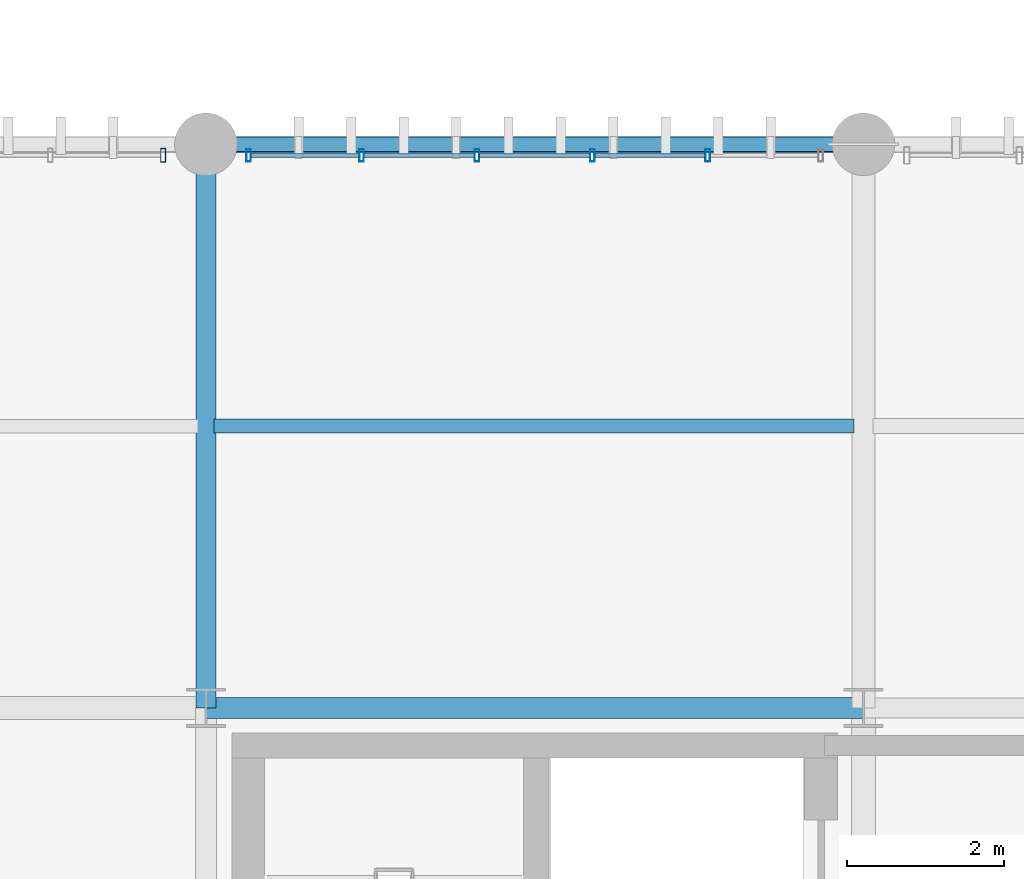
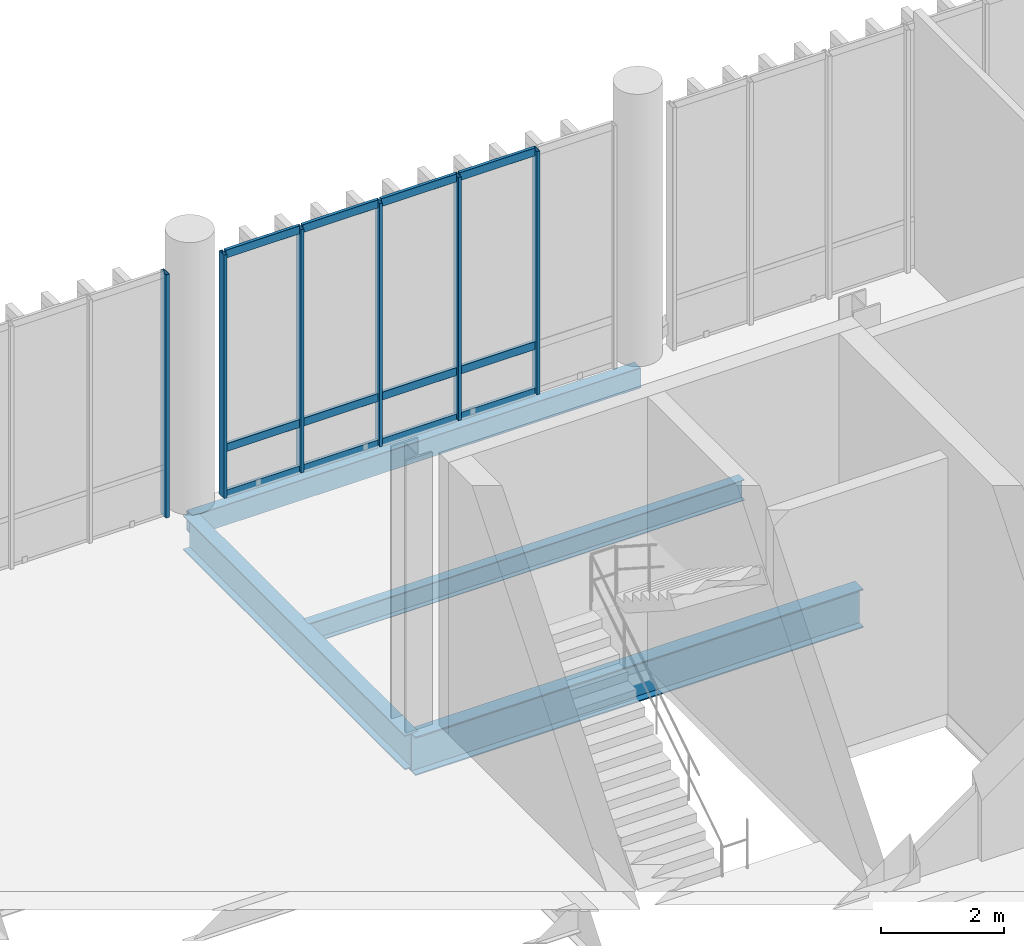
# One storey, part 44 of 128: 18 members, 4 beams, 2 elements without a shape of their own.
"""IFC4 building model written with IfcOpenShell, lengths in metres."""

import ifcopenshell
import ifcopenshell.guid

model = None  # the IFC model being written
_history = None  # IfcOwnerHistory: only IFC2X3 demands one
_inside = {}  # id of a spatial element -> (the spatial element, [elements in it])
_under = {}  # id of a project, library or spatial element -> (it, [spatial elements below it])
_declared = {}  # id of a project -> (the project, [libraries it declares])
_typed = {}  # id of a type object -> (the type object, [elements of that type])
_made_of = {}  # id of a material, layer set ... -> (it, [elements and type objects made of it])


def new_model(schema):
    """Start an empty IFC model of exactly this schema.

    Asked for "IFC4X3", IfcOpenShell would pick the latest addendum, in which some entities
    have other attributes; the version numbers below select the first issue.
    IFC2X3 requires an IfcOwnerHistory on every rooted entity: one is made here for all.
    """
    global model, _history
    if schema == "IFC4X3":
        model = ifcopenshell.file(schema_version=(4, 3, 0, 0))
    else:
        model = ifcopenshell.file(schema=schema)
    _inside.clear()
    _under.clear()
    _declared.clear()
    _typed.clear()
    _made_of.clear()
    _history = None
    if model.schema == "IFC2X3":
        org = make("IfcOrganization", Name="unknown")
        user = make(
            "IfcPersonAndOrganization",
            ThePerson=make("IfcPerson", FamilyName="unknown"),
            TheOrganization=org,
        )
        app = make(
            "IfcApplication",
            ApplicationDeveloper=org,
            Version="unknown",
            ApplicationFullName="unknown",
            ApplicationIdentifier="unknown",
        )
        _history = make(
            "IfcOwnerHistory",
            OwningUser=user,
            OwningApplication=app,
            ChangeAction="ADDED",
            CreationDate=0,
        )
    return model


def make(cls, **values):
    """One entity of the class cls with the attributes given. An attribute that is None is left unset."""
    return model.create_entity(
        cls, **{name: value for name, value in values.items() if value is not None}
    )


def rooted(cls, **values):
    """An entity with a GlobalId (a new one), such as an element, a storey or a relation."""
    return make(cls, GlobalId=ifcopenshell.guid.new(), OwnerHistory=_history, **values)


def si_unit(unit_type, name, prefix=None):
    """IfcSIUnit, for example si_unit("LENGTHUNIT", "METRE", prefix="MILLI")."""
    return make("IfcSIUnit", UnitType=unit_type, Prefix=prefix, Name=name)


def assignment(units):
    """IfcUnitAssignment: the units of a project."""
    return None if units is None else make("IfcUnitAssignment", Units=units)


def point(xyz):
    """IfcCartesianPoint."""
    return None if xyz is None else make("IfcCartesianPoint", Coordinates=xyz)


def direction(xyz):
    """IfcDirection."""
    return None if xyz is None else make("IfcDirection", DirectionRatios=xyz)


def frame(location, z_axis=None, x_axis=None):
    """IfcAxis2Placement3D, a coordinate frame: its origin and axes. An axis left out is left unset."""
    return make(
        "IfcAxis2Placement3D",
        Location=point(location),
        Axis=direction(z_axis),
        RefDirection=direction(x_axis),
    )


def frame_2d(location, x_axis=None):
    """IfcAxis2Placement2D, a coordinate frame in the plane: its origin and x axis."""
    return make(
        "IfcAxis2Placement2D", Location=point(location), RefDirection=direction(x_axis)
    )


def origin_with_axes():
    """The frame at (0, 0, 0) with the z axis (0, 0, 1) and the x axis (1, 0, 0) written out."""
    return frame((0.0, 0.0, 0.0), z_axis=(0.0, 0.0, 1.0), x_axis=(1.0, 0.0, 0.0))


def origin_2d_with_axis():
    """The frame at (0, 0) in the plane with the x axis (1, 0) written out."""
    return frame_2d((0.0, 0.0), x_axis=(1.0, 0.0))


def place(relative_to, where):
    """IfcLocalPlacement: puts the frame where relative to a parent placement (None: the world)."""
    return make(
        "IfcLocalPlacement", PlacementRelTo=relative_to, RelativePlacement=where
    )


def context(
    kind, dimensions, precision=None, world=None, true_north=None, identifier=None
):
    """IfcGeometricRepresentationContext, for example the 3D "Model" context."""
    return make(
        "IfcGeometricRepresentationContext",
        ContextIdentifier=identifier,
        ContextType=kind,
        CoordinateSpaceDimension=dimensions,
        Precision=precision,
        WorldCoordinateSystem=world,
        TrueNorth=true_north,
    )


def subcontext(parent, identifier, kind, view, scale=None):
    """IfcGeometricRepresentationSubContext, for example "Body" below "Model"."""
    return make(
        "IfcGeometricRepresentationSubContext",
        ContextIdentifier=identifier,
        ContextType=kind,
        ParentContext=parent,
        TargetScale=scale,
        TargetView=view,
    )


def project(units=None, contexts=None):
    """IfcProject with its units and contexts."""
    return rooted(
        "IfcProject",
        Name="project",
        RepresentationContexts=contexts,
        UnitsInContext=assignment(units),
    )


def spatial(cls, under=None, at=None, **own):
    """A site, building, storey or space (cls), placed at a placement, below another one or the project."""
    s = rooted(cls, ObjectPlacement=at, **own)
    if under is not None:
        _under.setdefault(under.id(), (under, []))[1].append(s)
    return s


def profile(cls, at=None, kind="AREA", **sizes):
    """A parametric profile (cls). Its sizes go by their IFC names, for example OverallWidth=200.0."""
    return make(cls, ProfileType=kind, Position=at, **sizes)


def hollow_rectangle(**sizes):
    """IfcRectangleHollowProfileDef."""
    return profile("IfcRectangleHollowProfileDef", **sizes)


def i_section(**sizes):
    """IfcIShapeProfileDef."""
    return profile("IfcIShapeProfileDef", **sizes)


def extrude(swept, where, along, depth):
    """IfcExtrudedAreaSolid: the profile swept, set in the frame where, extruded along a direction by depth."""
    return make(
        "IfcExtrudedAreaSolid",
        SweptArea=swept,
        Position=where,
        ExtrudedDirection=direction(along),
        Depth=depth,
    )


def shape(context_of_items, identifier, shape_type, items):
    """IfcShapeRepresentation: the items that make up one representation, for example the "Body"."""
    return make(
        "IfcShapeRepresentation",
        ContextOfItems=context_of_items,
        RepresentationIdentifier=identifier,
        RepresentationType=shape_type,
        Items=items,
    )


def material(Name=None, Category=None):
    """IfcMaterial."""
    return make("IfcMaterial", Name=Name, Category=Category)


def material_profile(
    of_material, cross_section, Name=None, Category=None, Priority=None
):
    """IfcMaterialProfile: a cross section and its material."""
    return make(
        "IfcMaterialProfile",
        Name=Name,
        Material=of_material,
        Profile=cross_section,
        Priority=Priority,
        Category=Category,
    )


def profile_set(profiles, Name=None, composite=None):
    """IfcMaterialProfileSet."""
    return make(
        "IfcMaterialProfileSet",
        Name=Name,
        MaterialProfiles=profiles,
        CompositeProfile=composite,
    )


def made_of(thing, what):
    """Note that an element or type object is made of a material, layer set ...; save() writes the relation."""
    if what is not None:
        _made_of.setdefault(what.id(), (what, []))[1].append(thing)
    return thing


def type_object(cls, material=None, **own):
    """A type object (cls), such as IfcWallType, which elements share."""
    return made_of(rooted(cls, **own), material)


def element(
    cls,
    number,
    at=None,
    inside=None,
    cuts=None,
    type_object=None,
    material=None,
    context=None,
    identifier="Body",
    shape_type=None,
    held_by="IfcProductDefinitionShape",
    body=None,
    shapes=None,
    **own,
):
    """One element of the class cls, such as IfcWall. Its Tag is "e" and its number.

    at: its placement. inside: the storey or other place that contains it. cuts: it is an
    opening in that element (IfcRelVoidsElement). A single representation is given by context,
    identifier, shape_type and body (its items); several are given by shapes. held_by: the class
    of the entity that holds the representations. save() writes the other relations.
    """
    e = rooted(cls, Tag="e%d" % number, ObjectPlacement=at, **own)
    if body is not None:
        shapes = [shape(context, identifier, shape_type, body)]
    if shapes is not None:
        e.Representation = make(held_by, Representations=shapes)
    if inside is not None:
        _inside.setdefault(inside.id(), (inside, []))[1].append(e)
    if cuts is not None:
        rooted(
            "IfcRelVoidsElement", RelatingBuildingElement=cuts, RelatedOpeningElement=e
        )
    if type_object is not None:
        _typed.setdefault(type_object.id(), (type_object, []))[1].append(e)
    return made_of(e, material)


def aggregate(whole, parts):
    """IfcRelAggregates: a whole, such as a stair, and the parts it consists of."""
    return rooted("IfcRelAggregates", RelatingObject=whole, RelatedObjects=parts)


def save(model, path):
    """Write the relations noted so far, then the file.

    IfcRelAggregates (storeys below a building ...), IfcRelContainedInSpatialStructure (elements
    in a storey), IfcRelDefinesByType, IfcRelAssociatesMaterial and IfcRelDeclares: one each for
    every whole, place, type object, material and project.
    """
    for whole, parts in _under.values():
        aggregate(whole, parts)
    for where, things in _inside.values():
        rooted(
            "IfcRelContainedInSpatialStructure",
            RelatedElements=things,
            RelatingStructure=where,
        )
    for kind, things in _typed.values():
        rooted("IfcRelDefinesByType", RelatedObjects=things, RelatingType=kind)
    for what, things in _made_of.values():
        rooted("IfcRelAssociatesMaterial", RelatedObjects=things, RelatingMaterial=what)
    for by, libraries in _declared.values():
        rooted("IfcRelDeclares", RelatingContext=by, RelatedDefinitions=libraries)
    model.write(path)


model = new_model("IFC4")

# Units and contexts
model_context = context("Model", 3, precision=1e-05, world=origin_with_axes(), true_north=direction((0.0, 1.0)))
body_context = subcontext(model_context, "Body", "Model", "MODEL_VIEW")
ifc_project = project(units=[si_unit("LENGTHUNIT", "METRE"), si_unit("AREAUNIT", "SQUARE_METRE"), si_unit("VOLUMEUNIT", "CUBIC_METRE"), si_unit("PLANEANGLEUNIT", "RADIAN"), si_unit("MASSUNIT", "GRAM", prefix="KILO"), si_unit("THERMODYNAMICTEMPERATUREUNIT", "KELVIN")], contexts=[model_context])

# Site, building, storey
site_placement = place(None, origin_with_axes())
site = spatial("IfcSite", under=ifc_project, at=site_placement, CompositionType="ELEMENT")
building_placement = place(site_placement, origin_with_axes())
building = spatial("IfcBuilding", under=site, at=building_placement, Name="Montbau Bow Law Courts", CompositionType="ELEMENT")
storey_placement = place(building_placement, frame((0.0, 0.0, 5.4), z_axis=(0.0, 0.0, 1.0), x_axis=(1.0, 0.0, 0.0)))
storey = spatial("IfcBuildingStorey", under=building, at=storey_placement, Name="L01", CompositionType="ELEMENT", Elevation=5.4)

# Beams
ifc_material_1 = material(Name="Steel CSA G40.21 Grade 350W (350 MPa)", Category="steel")
ifc_material_profile_1 = material_profile(ifc_material_1, i_section(OverallWidth=0.267, OverallDepth=0.766, WebThickness=0.0149, FlangeThickness=0.0236, at=origin_2d_with_axis()), Name="W760X185", Category="Main", Priority=0)
ifc_profile_set_1 = profile_set([ifc_material_profile_1], Name="Steel CSA G40.21 Grade 350W (350 MPa)")
beam_type_1 = type_object("IfcBeamType", Name="B-FLR-03", PredefinedType="BEAM", material=ifc_profile_set_1)
beam_1_placement = place(None, frame((55.2, 54.6, 4.777), z_axis=(1.0, 0.0, 0.0), x_axis=(0.0, 1.0, 0.0)))
element("IfcBeam", 1, at=beam_1_placement, inside=storey, type_object=beam_type_1, Name="BM-L01-S0811:bm2_0814", PredefinedType="BEAM", context=body_context, shape_type="SweptSolid", body=[
    extrude(i_section(OverallWidth=0.267, OverallDepth=0.766, WebThickness=0.0149, FlangeThickness=0.0236, at=origin_2d_with_axis()), origin_with_axes(), (0.0, 0.0, 1.0), 8.4),
])
ifc_material_profile_2 = material_profile(ifc_material_1, i_section(OverallWidth=0.254, OverallDepth=0.688, WebThickness=0.0131, FlangeThickness=0.0211, at=origin_2d_with_axis()), Name="W690X152", Category="Main", Priority=0)
ifc_profile_set_2 = profile_set([ifc_material_profile_2], Name="Steel CSA G40.21 Grade 350W (350 MPa)")
beam_type_2 = type_object("IfcBeamType", Name="B-FLR-04", PredefinedType="BEAM", material=ifc_profile_set_2)
beam_2_placement = place(None, frame((55.2, 54.6, 4.816), z_axis=(0.0, 1.0, 0.0), x_axis=(-1.0, 0.0, 0.0)))
element("IfcBeam", 2, at=beam_2_placement, inside=storey, type_object=beam_type_2, Name="BM-L01-S0825:bm2_0828", PredefinedType="BEAM", context=body_context, shape_type="SweptSolid", body=[
    extrude(i_section(OverallWidth=0.254, OverallDepth=0.688, WebThickness=0.0131, FlangeThickness=0.0211, at=origin_2d_with_axis()), origin_with_axes(), (0.0, 0.0, 1.0), 7.2),
])
ifc_material_profile_3 = material_profile(ifc_material_1, i_section(OverallWidth=0.179, OverallDepth=0.41, WebThickness=0.0088, FlangeThickness=0.0144, at=origin_2d_with_axis()), Name="W410X67", Category="Main", Priority=0)
ifc_profile_set_3 = profile_set([ifc_material_profile_3], Name="Steel CSA G40.21 Grade 350W (350 MPa)")
beam_type_3 = type_object("IfcBeamType", Name="B-JST-02", PredefinedType="JOIST", material=ifc_profile_set_3)
beam_3_placement = place(None, frame((55.303, 58.2, 4.955), z_axis=(1.0, 0.0, 0.0), x_axis=(0.0, 1.0, 0.0)))
element("IfcBeam", 3, at=beam_3_placement, inside=storey, type_object=beam_type_3, Name="JST-L01-S0421:jst2_0421", PredefinedType="JOIST", context=body_context, shape_type="SweptSolid", body=[
    extrude(i_section(OverallWidth=0.179, OverallDepth=0.41, WebThickness=0.0088, FlangeThickness=0.0144, at=origin_2d_with_axis()), origin_with_axes(), (0.0, 0.0, 1.0), 8.174),
])
ifc_material_2 = material(Name="Steel CSA G40.21 Grade 350WT (350 MPa)", Category="steel")
ifc_material_profile_4 = material_profile(ifc_material_2, hollow_rectangle(XDim=0.203, YDim=0.406, WallThickness=0.0127, InnerFilletRadius=0.0254, OuterFilletRadius=0.0127, at=origin_2d_with_axis()), Name="HSS406X203X13", Category="Main", Priority=0)
ifc_profile_set_4 = profile_set([ifc_material_profile_4], Name="Steel CSA G40.21 Grade 350WT (350 MPa)")
beam_type_4 = type_object("IfcBeamType", Name="B-SPN-01", PredefinedType="SPANDREL", material=ifc_profile_set_4)
beam_4_placement = place(None, frame((55.2, 61.8, 4.957), z_axis=(1.0, 0.0, 0.0), x_axis=(0.0, 1.0, 0.0)))
element("IfcBeam", 4, at=beam_4_placement, inside=storey, type_object=beam_type_4, Name="SPN-L01-S0817:bm2_0820", PredefinedType="SPANDREL", context=body_context, shape_type="SweptSolid", body=[
    extrude(hollow_rectangle(XDim=0.203, YDim=0.406, WallThickness=0.0127, InnerFilletRadius=0.0254, OuterFilletRadius=0.0127, at=origin_2d_with_axis()), origin_with_axes(), (0.0, 0.0, 1.0), 8.4),
])

# Curtain wall, member
ifc_material_3 = material(Name="Thermally Broken Extruded Aluminium AA 6063-T6", Category="aluminium")
curtain_wall_type = type_object("IfcCurtainWallType", Name="CW-CRM-01", PredefinedType="NOTDEFINED", material=ifc_material_3)
curtain_wall_1_placement = place(None, frame((47.315, 61.66, 5.4), z_axis=(0.0, 0.0, 1.0), x_axis=(1.0, 0.0, 0.0)))
curtain_wall_1 = element("IfcCurtainWall", 5, at=curtain_wall_1_placement, inside=storey, type_object=curtain_wall_type, Name="CW-L01-145:cw_0145", PredefinedType="NOTDEFINED")
ifc_material_profile_5 = material_profile(ifc_material_3, hollow_rectangle(XDim=0.065, YDim=0.18, WallThickness=0.005, InnerFilletRadius=0.01, OuterFilletRadius=0.005, at=origin_2d_with_axis()), Name="CWM-180X65", Category="Main", Priority=0)
ifc_profile_set_5 = profile_set([ifc_material_profile_5], Name="Thermally Broken Extruded Aluminium AA 6063-T6")
member_type_1 = type_object("IfcMemberType", Name="M-MUL-02", PredefinedType="MULLION", material=ifc_profile_set_5)
member_1_placement = place(None, frame((54.653, 61.66, 5.4), z_axis=(0.0, 0.0, 1.0), x_axis=(1.0, 0.0, 0.0)))
member_1 = element("IfcMember", 6, at=member_1_placement, type_object=member_type_1, Name="CW-L01-145-M06:cw_0145_M06", PredefinedType="MULLION", context=body_context, shape_type="SweptSolid", body=[
    extrude(hollow_rectangle(XDim=0.065, YDim=0.18, WallThickness=0.005, InnerFilletRadius=0.01, OuterFilletRadius=0.005, at=origin_2d_with_axis()), origin_with_axes(), (0.0, 0.0, 1.0), 4.82),
])
aggregate(curtain_wall_1, [member_1])

# Curtain wall, members
curtain_wall_2_placement = place(None, frame((55.715, 61.66, 5.4), z_axis=(0.0, 0.0, 1.0), x_axis=(1.0, 0.0, 0.0)))
curtain_wall_2 = element("IfcCurtainWall", 7, at=curtain_wall_2_placement, inside=storey, type_object=curtain_wall_type, Name="CW-L01-146:cw_0146", PredefinedType="NOTDEFINED")
ifc_material_profile_6 = material_profile(ifc_material_3, hollow_rectangle(XDim=0.06, YDim=0.16, WallThickness=0.004, InnerFilletRadius=0.008, OuterFilletRadius=0.004, at=origin_2d_with_axis()), Name="CWM-160X60", Category="Main", Priority=0)
ifc_profile_set_6 = profile_set([ifc_material_profile_6], Name="Thermally Broken Extruded Aluminium AA 6063-T6")
member_type_2 = type_object("IfcMemberType", Name="M-MUL-03", PredefinedType="MULLION", material=ifc_profile_set_6)
member_2_placement = place(None, frame((55.745, 61.66, 5.4), z_axis=(0.0, 0.0, 1.0), x_axis=(1.0, 0.0, 0.0)))
member_2 = element("IfcMember", 8, at=member_2_placement, type_object=member_type_2, Name="CW-L01-146-M01:cw_0146_M01", PredefinedType="MULLION", context=body_context, shape_type="SweptSolid", body=[
    extrude(hollow_rectangle(XDim=0.06, YDim=0.16, WallThickness=0.004, InnerFilletRadius=0.008, OuterFilletRadius=0.004, at=origin_2d_with_axis()), origin_with_axes(), (0.0, 0.0, 1.0), 4.82),
])
member_3_placement = place(None, frame((57.189, 61.66, 5.4), z_axis=(0.0, 0.0, 1.0), x_axis=(1.0, 0.0, 0.0)))
member_3 = element("IfcMember", 9, at=member_3_placement, type_object=member_type_2, Name="CW-L01-146-M02:cw_0146_M02", PredefinedType="MULLION", context=body_context, shape_type="SweptSolid", body=[
    extrude(hollow_rectangle(XDim=0.06, YDim=0.16, WallThickness=0.004, InnerFilletRadius=0.008, OuterFilletRadius=0.004, at=origin_2d_with_axis()), origin_with_axes(), (0.0, 0.0, 1.0), 4.82),
])
member_4_placement = place(None, frame((58.663, 61.66, 5.4), z_axis=(0.0, 0.0, 1.0), x_axis=(1.0, 0.0, 0.0)))
member_4 = element("IfcMember", 10, at=member_4_placement, type_object=member_type_2, Name="CW-L01-146-M03:cw_0146_M03", PredefinedType="MULLION", context=body_context, shape_type="SweptSolid", body=[
    extrude(hollow_rectangle(XDim=0.06, YDim=0.16, WallThickness=0.004, InnerFilletRadius=0.008, OuterFilletRadius=0.004, at=origin_2d_with_axis()), origin_with_axes(), (0.0, 0.0, 1.0), 4.82),
])
member_5_placement = place(None, frame((60.137, 61.66, 5.4), z_axis=(0.0, 0.0, 1.0), x_axis=(1.0, 0.0, 0.0)))
member_5 = element("IfcMember", 11, at=member_5_placement, type_object=member_type_2, Name="CW-L01-146-M04:cw_0146_M04", PredefinedType="MULLION", context=body_context, shape_type="SweptSolid", body=[
    extrude(hollow_rectangle(XDim=0.06, YDim=0.16, WallThickness=0.004, InnerFilletRadius=0.008, OuterFilletRadius=0.004, at=origin_2d_with_axis()), origin_with_axes(), (0.0, 0.0, 1.0), 4.82),
])
member_6_placement = place(None, frame((61.611, 61.66, 5.4), z_axis=(0.0, 0.0, 1.0), x_axis=(1.0, 0.0, 0.0)))
member_6 = element("IfcMember", 12, at=member_6_placement, type_object=member_type_2, Name="CW-L01-146-M05:cw_0146_M05", PredefinedType="MULLION", context=body_context, shape_type="SweptSolid", body=[
    extrude(hollow_rectangle(XDim=0.06, YDim=0.16, WallThickness=0.004, InnerFilletRadius=0.008, OuterFilletRadius=0.004, at=origin_2d_with_axis()), origin_with_axes(), (0.0, 0.0, 1.0), 4.82),
])
ifc_material_profile_7 = material_profile(ifc_material_3, hollow_rectangle(XDim=0.06, YDim=0.16, WallThickness=0.004, InnerFilletRadius=0.008, OuterFilletRadius=0.004, at=origin_2d_with_axis()), Name="CWT-160X60", Category="Main", Priority=0)
ifc_profile_set_7 = profile_set([ifc_material_profile_7], Name="Thermally Broken Extruded Aluminium AA 6063-T6")
member_type_3 = type_object("IfcMemberType", Name="M-TRN-01", PredefinedType="USERDEFINED", material=ifc_profile_set_7)
member_7_placement = place(None, frame((55.777, 61.66, 5.43), z_axis=(1.0, 0.0, 0.0), x_axis=(0.0, 1.0, 0.0)))
member_7 = element("IfcMember", 13, at=member_7_placement, type_object=member_type_3, Name="CW-L01-146-T01-1:cw_0146_T01_1", ObjectType="TRANSOM", PredefinedType="USERDEFINED", context=body_context, shape_type="SweptSolid", body=[
    extrude(hollow_rectangle(XDim=0.06, YDim=0.16, WallThickness=0.004, InnerFilletRadius=0.008, OuterFilletRadius=0.004, at=origin_2d_with_axis()), origin_with_axes(), (0.0, 0.0, 1.0), 1.38),
])
member_8_placement = place(None, frame((55.777, 61.66, 6.35), z_axis=(1.0, 0.0, 0.0), x_axis=(0.0, 1.0, 0.0)))
member_8 = element("IfcMember", 14, at=member_8_placement, type_object=member_type_3, Name="CW-L01-146-T01-2:cw_0146_T01_2", ObjectType="TRANSOM", PredefinedType="USERDEFINED", context=body_context, shape_type="SweptSolid", body=[
    extrude(hollow_rectangle(XDim=0.06, YDim=0.16, WallThickness=0.004, InnerFilletRadius=0.008, OuterFilletRadius=0.004, at=origin_2d_with_axis()), origin_with_axes(), (0.0, 0.0, 1.0), 1.38),
])
member_9_placement = place(None, frame((55.777, 61.66, 10.19), z_axis=(1.0, 0.0, 0.0), x_axis=(0.0, 1.0, 0.0)))
member_9 = element("IfcMember", 15, at=member_9_placement, type_object=member_type_3, Name="CW-L01-146-T01-3:cw_0146_T01_3", ObjectType="TRANSOM", PredefinedType="USERDEFINED", context=body_context, shape_type="SweptSolid", body=[
    extrude(hollow_rectangle(XDim=0.06, YDim=0.16, WallThickness=0.004, InnerFilletRadius=0.008, OuterFilletRadius=0.004, at=origin_2d_with_axis()), origin_with_axes(), (0.0, 0.0, 1.0), 1.38),
])
member_10_placement = place(None, frame((57.221, 61.66, 5.43), z_axis=(1.0, 0.0, 0.0), x_axis=(0.0, 1.0, 0.0)))
member_10 = element("IfcMember", 16, at=member_10_placement, type_object=member_type_3, Name="CW-L01-146-T02-1:cw_0146_T02_1", ObjectType="TRANSOM", PredefinedType="USERDEFINED", context=body_context, shape_type="SweptSolid", body=[
    extrude(hollow_rectangle(XDim=0.06, YDim=0.16, WallThickness=0.004, InnerFilletRadius=0.008, OuterFilletRadius=0.004, at=origin_2d_with_axis()), origin_with_axes(), (0.0, 0.0, 1.0), 1.41),
])
member_11_placement = place(None, frame((57.221, 61.66, 6.35), z_axis=(1.0, 0.0, 0.0), x_axis=(0.0, 1.0, 0.0)))
member_11 = element("IfcMember", 17, at=member_11_placement, type_object=member_type_3, Name="CW-L01-146-T02-2:cw_0146_T02_2", ObjectType="TRANSOM", PredefinedType="USERDEFINED", context=body_context, shape_type="SweptSolid", body=[
    extrude(hollow_rectangle(XDim=0.06, YDim=0.16, WallThickness=0.004, InnerFilletRadius=0.008, OuterFilletRadius=0.004, at=origin_2d_with_axis()), origin_with_axes(), (0.0, 0.0, 1.0), 1.41),
])
member_12_placement = place(None, frame((57.221, 61.66, 10.19), z_axis=(1.0, 0.0, 0.0), x_axis=(0.0, 1.0, 0.0)))
member_12 = element("IfcMember", 18, at=member_12_placement, type_object=member_type_3, Name="CW-L01-146-T02-3:cw_0146_T02_3", ObjectType="TRANSOM", PredefinedType="USERDEFINED", context=body_context, shape_type="SweptSolid", body=[
    extrude(hollow_rectangle(XDim=0.06, YDim=0.16, WallThickness=0.004, InnerFilletRadius=0.008, OuterFilletRadius=0.004, at=origin_2d_with_axis()), origin_with_axes(), (0.0, 0.0, 1.0), 1.41),
])
member_13_placement = place(None, frame((58.695, 61.66, 5.43), z_axis=(1.0, 0.0, 0.0), x_axis=(0.0, 1.0, 0.0)))
member_13 = element("IfcMember", 19, at=member_13_placement, type_object=member_type_3, Name="CW-L01-146-T03-1:cw_0146_T03_1", ObjectType="TRANSOM", PredefinedType="USERDEFINED", context=body_context, shape_type="SweptSolid", body=[
    extrude(hollow_rectangle(XDim=0.06, YDim=0.16, WallThickness=0.004, InnerFilletRadius=0.008, OuterFilletRadius=0.004, at=origin_2d_with_axis()), origin_with_axes(), (0.0, 0.0, 1.0), 1.41),
])
member_14_placement = place(None, frame((58.695, 61.66, 6.35), z_axis=(1.0, 0.0, 0.0), x_axis=(0.0, 1.0, 0.0)))
member_14 = element("IfcMember", 20, at=member_14_placement, type_object=member_type_3, Name="CW-L01-146-T03-2:cw_0146_T03_2", ObjectType="TRANSOM", PredefinedType="USERDEFINED", context=body_context, shape_type="SweptSolid", body=[
    extrude(hollow_rectangle(XDim=0.06, YDim=0.16, WallThickness=0.004, InnerFilletRadius=0.008, OuterFilletRadius=0.004, at=origin_2d_with_axis()), origin_with_axes(), (0.0, 0.0, 1.0), 1.41),
])
member_15_placement = place(None, frame((58.695, 61.66, 10.19), z_axis=(1.0, 0.0, 0.0), x_axis=(0.0, 1.0, 0.0)))
member_15 = element("IfcMember", 21, at=member_15_placement, type_object=member_type_3, Name="CW-L01-146-T03-3:cw_0146_T03_3", ObjectType="TRANSOM", PredefinedType="USERDEFINED", context=body_context, shape_type="SweptSolid", body=[
    extrude(hollow_rectangle(XDim=0.06, YDim=0.16, WallThickness=0.004, InnerFilletRadius=0.008, OuterFilletRadius=0.004, at=origin_2d_with_axis()), origin_with_axes(), (0.0, 0.0, 1.0), 1.41),
])
member_16_placement = place(None, frame((60.169, 61.66, 5.43), z_axis=(1.0, 0.0, 0.0), x_axis=(0.0, 1.0, 0.0)))
member_16 = element("IfcMember", 22, at=member_16_placement, type_object=member_type_3, Name="CW-L01-146-T04-1:cw_0146_T04_1", ObjectType="TRANSOM", PredefinedType="USERDEFINED", context=body_context, shape_type="SweptSolid", body=[
    extrude(hollow_rectangle(XDim=0.06, YDim=0.16, WallThickness=0.004, InnerFilletRadius=0.008, OuterFilletRadius=0.004, at=origin_2d_with_axis()), origin_with_axes(), (0.0, 0.0, 1.0), 1.41),
])
member_17_placement = place(None, frame((60.169, 61.66, 6.35), z_axis=(1.0, 0.0, 0.0), x_axis=(0.0, 1.0, 0.0)))
member_17 = element("IfcMember", 23, at=member_17_placement, type_object=member_type_3, Name="CW-L01-146-T04-2:cw_0146_T04_2", ObjectType="TRANSOM", PredefinedType="USERDEFINED", context=body_context, shape_type="SweptSolid", body=[
    extrude(hollow_rectangle(XDim=0.06, YDim=0.16, WallThickness=0.004, InnerFilletRadius=0.008, OuterFilletRadius=0.004, at=origin_2d_with_axis()), origin_with_axes(), (0.0, 0.0, 1.0), 1.41),
])
member_18_placement = place(None, frame((60.169, 61.66, 10.19), z_axis=(1.0, 0.0, 0.0), x_axis=(0.0, 1.0, 0.0)))
member_18 = element("IfcMember", 24, at=member_18_placement, type_object=member_type_3, Name="CW-L01-146-T04-3:cw_0146_T04_3", ObjectType="TRANSOM", PredefinedType="USERDEFINED", context=body_context, shape_type="SweptSolid", body=[
    extrude(hollow_rectangle(XDim=0.06, YDim=0.16, WallThickness=0.004, InnerFilletRadius=0.008, OuterFilletRadius=0.004, at=origin_2d_with_axis()), origin_with_axes(), (0.0, 0.0, 1.0), 1.41),
])
aggregate(curtain_wall_2, [member_2, member_3, member_4, member_5, member_6, member_7, member_8, member_9, member_10, member_11, member_12, member_13, member_14, member_15, member_16, member_17, member_18])

save(model, "model.ifc")
